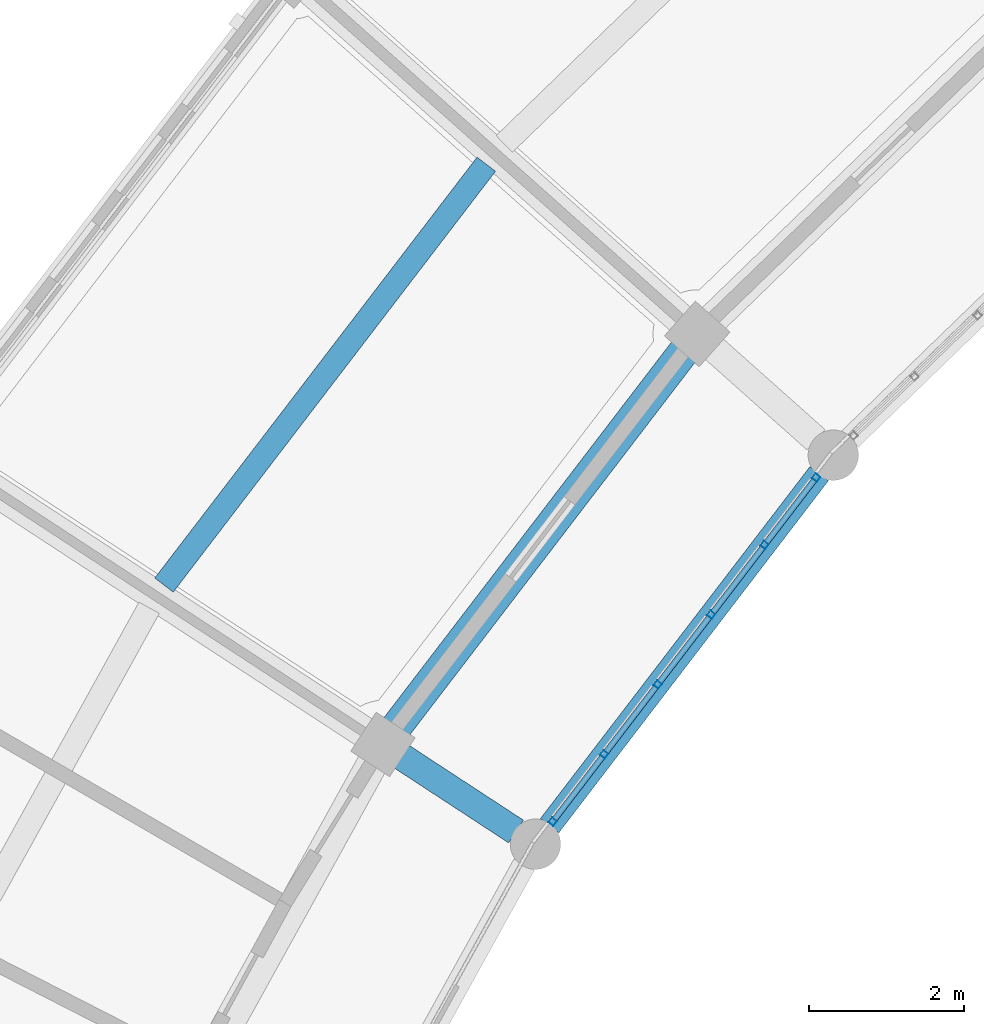
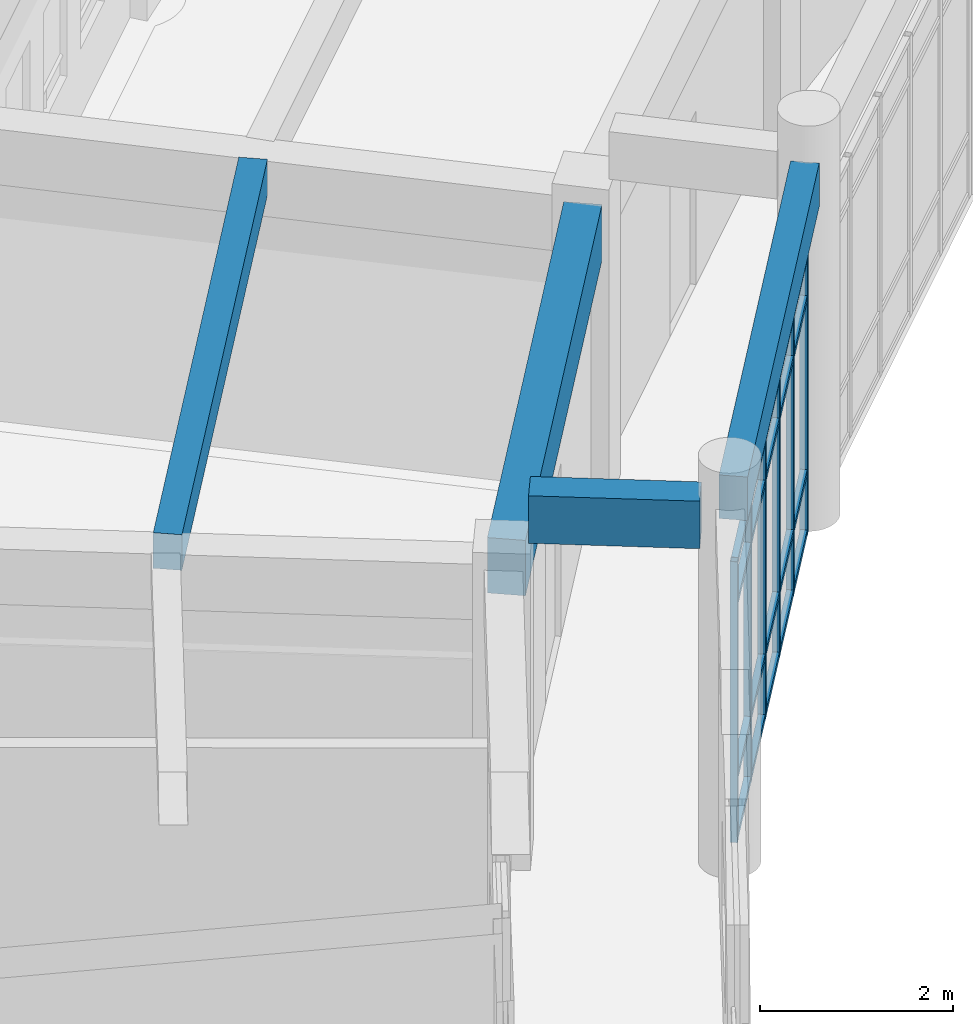
# One storey, part 64 of 159: 26 members, 4 beams, 1 element without a shape of its own.
"""IFC4 building model written with IfcOpenShell, lengths in metres."""

from ifc_helpers import new_model, si_unit, direction, frame, origin, origin_2d, place, context, subcontext, project, spatial, rectangle, hollow_rectangle, extrude, material, material_profile, profile_set, type_object, element, aggregate, save


model = new_model("IFC4")

# Units and contexts
model_context = context("Model", 3, precision=1e-05, world=origin(), true_north=direction((0.0, 1.0)))
body_context = subcontext(model_context, "Body", "Model", "MODEL_VIEW")
ifc_project = project(units=[si_unit("LENGTHUNIT", "METRE"), si_unit("AREAUNIT", "SQUARE_METRE"), si_unit("VOLUMEUNIT", "CUBIC_METRE"), si_unit("PLANEANGLEUNIT", "RADIAN"), si_unit("MASSUNIT", "GRAM", prefix="KILO")], contexts=[model_context])

# Site, building, storey
site_placement = place(None, origin())
site = spatial("IfcSite", under=ifc_project, at=site_placement, CompositionType="ELEMENT")
building_placement = place(site_placement, origin())
building = spatial("IfcBuilding", under=site, at=building_placement, Name="Celadon Cloister-Ring School", CompositionType="ELEMENT")
storey_placement = place(building_placement, frame((0.0, 0.0, 4.5)))
storey = spatial("IfcBuildingStorey", under=building, at=storey_placement, Name="L01", CompositionType="ELEMENT", Elevation=4.5)

# Beam
ifc_material_1 = material(Name="Concrete C35/45", Category="concrete")
ifc_material_profile_1 = material_profile(ifc_material_1, rectangle(XDim=0.35009765625, YDim=0.60009765625, at=origin_2d()), Name="RC350X600")
ifc_profile_set_1 = profile_set([ifc_material_profile_1], Name="Concrete C35/45")
beam_type_1 = type_object("IfcBeamType", Name="BT-02", PredefinedType="BEAM", material=ifc_profile_set_1)
beam_1_placement = place(storey_placement, frame((49.572021484375, 83.485107421875, 4.35009765625), z_axis=(0.836841228722, -0.547445666629, 0.0), x_axis=(0.547445666629, 0.836841228722, 0.0)))
element("IfcBeam", 1, at=beam_1_placement, inside=storey, type_object=beam_type_1, Name="Beam 0206", PredefinedType="BEAM", context=body_context, shape_type="SweptSolid", body=[
    extrude(rectangle(XDim=0.35009765625, YDim=0.60009765625, at=origin_2d()), origin(), (0.0, 0.0, 1.0), 1.77587890625),
])

# Curtain wall, members
ifc_material_2 = material(Name="Aluminium EN AW-6063 T6", Category="aluminium")
curtain_wall_type = type_object("IfcCurtainWallType", Name="CW-01", PredefinedType="USERDEFINED", material=ifc_material_2)
curtain_wall_placement = place(storey_placement, origin())
curtain_wall = element("IfcCurtainWall", 2, at=curtain_wall_placement, inside=storey, type_object=curtain_wall_type, Name="Curtain Wall 0022", ObjectType="CURTAIN WALL", PredefinedType="USERDEFINED")
ifc_material_3 = material(Name="Aluminium EN AW-6063 T6", Category="aluminium")
ifc_material_profile_2 = material_profile(ifc_material_3, hollow_rectangle(XDim=0.080078125, YDim=0.080078125, WallThickness=0.00390625, at=origin_2d()), Name="RHS80X80X4")
ifc_profile_set_2 = profile_set([ifc_material_profile_2], Name="Aluminium EN AW-6063 T6")
member_type_1 = type_object("IfcMemberType", Name="CM-03", PredefinedType="MULLION", material=ifc_profile_set_2)
member_1_placement = place(storey_placement, frame((54.927734375, 87.0751953125, 0.0), z_axis=(0.0, 0.0, 1.0), x_axis=(0.794032169563, -0.607875738699, 0.0)))
member_1 = element("IfcMember", 3, at=member_1_placement, type_object=member_type_1, Name="CW-01 mullion 1", PredefinedType="MULLION", context=body_context, shape_type="SweptSolid", body=[
    extrude(hollow_rectangle(XDim=0.080078125, YDim=0.080078125, WallThickness=0.00390625, at=origin_2d()), origin(), (0.0, 0.0, 1.0), 3.550048828125),
])
member_2_placement = place(storey_placement, frame((54.262939453125, 86.20703125, 0.0), z_axis=(0.0, 0.0, 1.0), x_axis=(0.794032169563, -0.607875738699, 0.0)))
member_2 = element("IfcMember", 4, at=member_2_placement, type_object=member_type_1, Name="CW-01 mullion 2", PredefinedType="MULLION", context=body_context, shape_type="SweptSolid", body=[
    extrude(hollow_rectangle(XDim=0.080078125, YDim=0.080078125, WallThickness=0.00390625, at=origin_2d()), origin(), (0.0, 0.0, 1.0), 3.550048828125),
])
member_3_placement = place(storey_placement, frame((53.573974609375, 85.306884765625, 0.0), z_axis=(0.0, 0.0, 1.0), x_axis=(0.794032169563, -0.607875738699, 0.0)))
member_3 = element("IfcMember", 5, at=member_3_placement, type_object=member_type_1, Name="CW-01 mullion 3", PredefinedType="MULLION", context=body_context, shape_type="SweptSolid", body=[
    extrude(hollow_rectangle(XDim=0.080078125, YDim=0.080078125, WallThickness=0.00390625, at=origin_2d()), origin(), (0.0, 0.0, 1.0), 3.550048828125),
])
member_4_placement = place(storey_placement, frame((52.885009765625, 84.406982421875, 0.0), z_axis=(0.0, 0.0, 1.0), x_axis=(0.794032169563, -0.607875738699, 0.0)))
member_4 = element("IfcMember", 6, at=member_4_placement, type_object=member_type_1, Name="CW-01 mullion 4", PredefinedType="MULLION", context=body_context, shape_type="SweptSolid", body=[
    extrude(hollow_rectangle(XDim=0.080078125, YDim=0.080078125, WallThickness=0.00390625, at=origin_2d()), origin(), (0.0, 0.0, 1.0), 3.550048828125),
])
member_5_placement = place(storey_placement, frame((52.196044921875, 83.507080078125, 0.0), z_axis=(0.0, 0.0, 1.0), x_axis=(0.794032169563, -0.607875738699, 0.0)))
member_5 = element("IfcMember", 7, at=member_5_placement, type_object=member_type_1, Name="CW-01 mullion 5", PredefinedType="MULLION", context=body_context, shape_type="SweptSolid", body=[
    extrude(hollow_rectangle(XDim=0.080078125, YDim=0.080078125, WallThickness=0.00390625, at=origin_2d()), origin(), (0.0, 0.0, 1.0), 3.550048828125),
])
member_6_placement = place(storey_placement, frame((51.53125, 82.638671875, 0.0), z_axis=(0.0, 0.0, 1.0), x_axis=(0.794032169563, -0.607875738699, 0.0)))
member_6 = element("IfcMember", 8, at=member_6_placement, type_object=member_type_1, Name="CW-01 mullion 6", PredefinedType="MULLION", context=body_context, shape_type="SweptSolid", body=[
    extrude(hollow_rectangle(XDim=0.080078125, YDim=0.080078125, WallThickness=0.00390625, at=origin_2d()), origin(), (0.0, 0.0, 1.0), 3.550048828125),
])
ifc_material_4 = material(Name="Aluminium EN AW-6063 T6", Category="aluminium")
ifc_material_profile_3 = material_profile(ifc_material_4, hollow_rectangle(XDim=0.074951171875, YDim=0.074951171875, WallThickness=0.00390625, at=origin_2d()), Name="RHS75X75X4")
ifc_profile_set_3 = profile_set([ifc_material_profile_3], Name="Aluminium EN AW-6063 T6")
member_type_2 = type_object("IfcMemberType", Name="CTM-03", PredefinedType="USERDEFINED", material=ifc_profile_set_3)
member_7_placement = place(storey_placement, frame((54.9033203125, 87.04345703125, 0.03759765625), z_axis=(-0.607834557378, -0.794063694458, 0.0), x_axis=(0.794063694458, -0.607834557378, 0.0)))
member_7 = element("IfcMember", 9, at=member_7_placement, type_object=member_type_2, Name="CW-01 transom 1.1", ObjectType="TRANSOM", PredefinedType="USERDEFINED", context=body_context, shape_type="SweptSolid", body=[
    extrude(hollow_rectangle(XDim=0.074951171875, YDim=0.074951171875, WallThickness=0.00390625, at=origin_2d()), origin(), (0.0, 0.0, 1.0), 1.013427734375),
])
member_8_placement = place(storey_placement, frame((54.9033203125, 87.04345703125, 0.800048828125), z_axis=(-0.607834557378, -0.794063694458, 0.0), x_axis=(0.794063694458, -0.607834557378, 0.0)))
member_8 = element("IfcMember", 10, at=member_8_placement, type_object=member_type_2, Name="CW-01 transom 1.2", ObjectType="TRANSOM", PredefinedType="USERDEFINED", context=body_context, shape_type="SweptSolid", body=[
    extrude(hollow_rectangle(XDim=0.074951171875, YDim=0.074951171875, WallThickness=0.00390625, at=origin_2d()), origin(), (0.0, 0.0, 1.0), 1.013427734375),
])
member_9_placement = place(storey_placement, frame((54.9033203125, 87.04345703125, 3.0), z_axis=(-0.607834557378, -0.794063694458, 0.0), x_axis=(0.794063694458, -0.607834557378, 0.0)))
member_9 = element("IfcMember", 11, at=member_9_placement, type_object=member_type_2, Name="CW-01 transom 1.3", ObjectType="TRANSOM", PredefinedType="USERDEFINED", context=body_context, shape_type="SweptSolid", body=[
    extrude(hollow_rectangle(XDim=0.074951171875, YDim=0.074951171875, WallThickness=0.00390625, at=origin_2d()), origin(), (0.0, 0.0, 1.0), 1.013427734375),
])
member_10_placement = place(storey_placement, frame((54.9033203125, 87.04345703125, 3.512451171875), z_axis=(-0.607834557378, -0.794063694458, 0.0), x_axis=(0.794063694458, -0.607834557378, 0.0)))
member_10 = element("IfcMember", 12, at=member_10_placement, type_object=member_type_2, Name="CW-01 transom 1.4", ObjectType="TRANSOM", PredefinedType="USERDEFINED", context=body_context, shape_type="SweptSolid", body=[
    extrude(hollow_rectangle(XDim=0.074951171875, YDim=0.074951171875, WallThickness=0.00390625, at=origin_2d()), origin(), (0.0, 0.0, 1.0), 1.013427734375),
])
member_11_placement = place(storey_placement, frame((54.23876953125, 86.17529296875, 0.03759765625), z_axis=(-0.607905936714, -0.794009050394, 0.0), x_axis=(0.794009050394, -0.607905936714, 0.0)))
member_11 = element("IfcMember", 13, at=member_11_placement, type_object=member_type_2, Name="CW-01 transom 2.1", ObjectType="TRANSOM", PredefinedType="USERDEFINED", context=body_context, shape_type="SweptSolid", body=[
    extrude(hollow_rectangle(XDim=0.074951171875, YDim=0.074951171875, WallThickness=0.00390625, at=origin_2d()), origin(), (0.0, 0.0, 1.0), 1.053466796875),
])
member_12_placement = place(storey_placement, frame((54.23876953125, 86.17529296875, 0.800048828125), z_axis=(-0.607905936714, -0.794009050394, 0.0), x_axis=(0.794009050394, -0.607905936714, 0.0)))
member_12 = element("IfcMember", 14, at=member_12_placement, type_object=member_type_2, Name="CW-01 transom 2.2", ObjectType="TRANSOM", PredefinedType="USERDEFINED", context=body_context, shape_type="SweptSolid", body=[
    extrude(hollow_rectangle(XDim=0.074951171875, YDim=0.074951171875, WallThickness=0.00390625, at=origin_2d()), origin(), (0.0, 0.0, 1.0), 1.053466796875),
])
member_13_placement = place(storey_placement, frame((54.23876953125, 86.17529296875, 3.0), z_axis=(-0.607905936714, -0.794009050394, 0.0), x_axis=(0.794009050394, -0.607905936714, 0.0)))
member_13 = element("IfcMember", 15, at=member_13_placement, type_object=member_type_2, Name="CW-01 transom 2.3", ObjectType="TRANSOM", PredefinedType="USERDEFINED", context=body_context, shape_type="SweptSolid", body=[
    extrude(hollow_rectangle(XDim=0.074951171875, YDim=0.074951171875, WallThickness=0.00390625, at=origin_2d()), origin(), (0.0, 0.0, 1.0), 1.053466796875),
])
member_14_placement = place(storey_placement, frame((54.23876953125, 86.17529296875, 3.512451171875), z_axis=(-0.607905936714, -0.794009050394, 0.0), x_axis=(0.794009050394, -0.607905936714, 0.0)))
member_14 = element("IfcMember", 16, at=member_14_placement, type_object=member_type_2, Name="CW-01 transom 2.4", ObjectType="TRANSOM", PredefinedType="USERDEFINED", context=body_context, shape_type="SweptSolid", body=[
    extrude(hollow_rectangle(XDim=0.074951171875, YDim=0.074951171875, WallThickness=0.00390625, at=origin_2d()), origin(), (0.0, 0.0, 1.0), 1.053466796875),
])
member_15_placement = place(storey_placement, frame((53.5498046875, 85.275146484375, 0.03759765625), z_axis=(-0.607905936714, -0.794009050394, 0.0), x_axis=(0.794009050394, -0.607905936714, 0.0)))
member_15 = element("IfcMember", 17, at=member_15_placement, type_object=member_type_2, Name="CW-01 transom 3.1", ObjectType="TRANSOM", PredefinedType="USERDEFINED", context=body_context, shape_type="SweptSolid", body=[
    extrude(hollow_rectangle(XDim=0.074951171875, YDim=0.074951171875, WallThickness=0.00390625, at=origin_2d()), origin(), (0.0, 0.0, 1.0), 1.053466796875),
])
member_16_placement = place(storey_placement, frame((53.5498046875, 85.275146484375, 0.800048828125), z_axis=(-0.607905936714, -0.794009050394, 0.0), x_axis=(0.794009050394, -0.607905936714, 0.0)))
member_16 = element("IfcMember", 18, at=member_16_placement, type_object=member_type_2, Name="CW-01 transom 3.2", ObjectType="TRANSOM", PredefinedType="USERDEFINED", context=body_context, shape_type="SweptSolid", body=[
    extrude(hollow_rectangle(XDim=0.074951171875, YDim=0.074951171875, WallThickness=0.00390625, at=origin_2d()), origin(), (0.0, 0.0, 1.0), 1.053466796875),
])
member_17_placement = place(storey_placement, frame((53.5498046875, 85.275146484375, 3.0), z_axis=(-0.607905936714, -0.794009050394, 0.0), x_axis=(0.794009050394, -0.607905936714, 0.0)))
member_17 = element("IfcMember", 19, at=member_17_placement, type_object=member_type_2, Name="CW-01 transom 3.3", ObjectType="TRANSOM", PredefinedType="USERDEFINED", context=body_context, shape_type="SweptSolid", body=[
    extrude(hollow_rectangle(XDim=0.074951171875, YDim=0.074951171875, WallThickness=0.00390625, at=origin_2d()), origin(), (0.0, 0.0, 1.0), 1.053466796875),
])
member_18_placement = place(storey_placement, frame((53.5498046875, 85.275146484375, 3.512451171875), z_axis=(-0.607905936714, -0.794009050394, 0.0), x_axis=(0.794009050394, -0.607905936714, 0.0)))
member_18 = element("IfcMember", 20, at=member_18_placement, type_object=member_type_2, Name="CW-01 transom 3.4", ObjectType="TRANSOM", PredefinedType="USERDEFINED", context=body_context, shape_type="SweptSolid", body=[
    extrude(hollow_rectangle(XDim=0.074951171875, YDim=0.074951171875, WallThickness=0.00390625, at=origin_2d()), origin(), (0.0, 0.0, 1.0), 1.053466796875),
])
member_19_placement = place(storey_placement, frame((52.860595703125, 84.375244140625, 0.03759765625), z_axis=(-0.607905936714, -0.794009050394, 0.0), x_axis=(0.794009050394, -0.607905936714, 0.0)))
member_19 = element("IfcMember", 21, at=member_19_placement, type_object=member_type_2, Name="CW-01 transom 4.1", ObjectType="TRANSOM", PredefinedType="USERDEFINED", context=body_context, shape_type="SweptSolid", body=[
    extrude(hollow_rectangle(XDim=0.074951171875, YDim=0.074951171875, WallThickness=0.00390625, at=origin_2d()), origin(), (0.0, 0.0, 1.0), 1.053466796875),
])
member_20_placement = place(storey_placement, frame((52.860595703125, 84.375244140625, 0.800048828125), z_axis=(-0.607905936714, -0.794009050394, 0.0), x_axis=(0.794009050394, -0.607905936714, 0.0)))
member_20 = element("IfcMember", 22, at=member_20_placement, type_object=member_type_2, Name="CW-01 transom 4.2", ObjectType="TRANSOM", PredefinedType="USERDEFINED", context=body_context, shape_type="SweptSolid", body=[
    extrude(hollow_rectangle(XDim=0.074951171875, YDim=0.074951171875, WallThickness=0.00390625, at=origin_2d()), origin(), (0.0, 0.0, 1.0), 1.053466796875),
])
member_21_placement = place(storey_placement, frame((52.860595703125, 84.375244140625, 3.0), z_axis=(-0.607905936714, -0.794009050394, 0.0), x_axis=(0.794009050394, -0.607905936714, 0.0)))
member_21 = element("IfcMember", 23, at=member_21_placement, type_object=member_type_2, Name="CW-01 transom 4.3", ObjectType="TRANSOM", PredefinedType="USERDEFINED", context=body_context, shape_type="SweptSolid", body=[
    extrude(hollow_rectangle(XDim=0.074951171875, YDim=0.074951171875, WallThickness=0.00390625, at=origin_2d()), origin(), (0.0, 0.0, 1.0), 1.053466796875),
])
member_22_placement = place(storey_placement, frame((52.860595703125, 84.375244140625, 3.512451171875), z_axis=(-0.607905936714, -0.794009050394, 0.0), x_axis=(0.794009050394, -0.607905936714, 0.0)))
member_22 = element("IfcMember", 24, at=member_22_placement, type_object=member_type_2, Name="CW-01 transom 4.4", ObjectType="TRANSOM", PredefinedType="USERDEFINED", context=body_context, shape_type="SweptSolid", body=[
    extrude(hollow_rectangle(XDim=0.074951171875, YDim=0.074951171875, WallThickness=0.00390625, at=origin_2d()), origin(), (0.0, 0.0, 1.0), 1.053466796875),
])
member_23_placement = place(storey_placement, frame((52.171630859375, 83.475341796875, 0.03759765625), z_axis=(-0.607718292077, -0.794152678945, 0.0), x_axis=(0.794152678945, -0.607718292077, 0.0)))
member_23 = element("IfcMember", 25, at=member_23_placement, type_object=member_type_2, Name="CW-01 transom 5.1", ObjectType="TRANSOM", PredefinedType="USERDEFINED", context=body_context, shape_type="SweptSolid", body=[
    extrude(hollow_rectangle(XDim=0.074951171875, YDim=0.074951171875, WallThickness=0.00390625, at=origin_2d()), origin(), (0.0, 0.0, 1.0), 1.013671875),
])
member_24_placement = place(storey_placement, frame((52.171630859375, 83.475341796875, 0.800048828125), z_axis=(-0.607718292077, -0.794152678945, 0.0), x_axis=(0.794152678945, -0.607718292077, 0.0)))
member_24 = element("IfcMember", 26, at=member_24_placement, type_object=member_type_2, Name="CW-01 transom 5.2", ObjectType="TRANSOM", PredefinedType="USERDEFINED", context=body_context, shape_type="SweptSolid", body=[
    extrude(hollow_rectangle(XDim=0.074951171875, YDim=0.074951171875, WallThickness=0.00390625, at=origin_2d()), origin(), (0.0, 0.0, 1.0), 1.013671875),
])
member_25_placement = place(storey_placement, frame((52.171630859375, 83.475341796875, 3.0), z_axis=(-0.607718292077, -0.794152678945, 0.0), x_axis=(0.794152678945, -0.607718292077, 0.0)))
member_25 = element("IfcMember", 27, at=member_25_placement, type_object=member_type_2, Name="CW-01 transom 5.3", ObjectType="TRANSOM", PredefinedType="USERDEFINED", context=body_context, shape_type="SweptSolid", body=[
    extrude(hollow_rectangle(XDim=0.074951171875, YDim=0.074951171875, WallThickness=0.00390625, at=origin_2d()), origin(), (0.0, 0.0, 1.0), 1.013671875),
])
member_26_placement = place(storey_placement, frame((52.171630859375, 83.475341796875, 3.512451171875), z_axis=(-0.607718292077, -0.794152678945, 0.0), x_axis=(0.794152678945, -0.607718292077, 0.0)))
member_26 = element("IfcMember", 28, at=member_26_placement, type_object=member_type_2, Name="CW-01 transom 5.4", ObjectType="TRANSOM", PredefinedType="USERDEFINED", context=body_context, shape_type="SweptSolid", body=[
    extrude(hollow_rectangle(XDim=0.074951171875, YDim=0.074951171875, WallThickness=0.00390625, at=origin_2d()), origin(), (0.0, 0.0, 1.0), 1.013671875),
])
aggregate(curtain_wall, [member_1, member_2, member_3, member_4, member_5, member_6, member_7, member_8, member_9, member_10, member_11, member_12, member_13, member_14, member_15, member_16, member_17, member_18, member_19, member_20, member_21, member_22, member_23, member_24, member_25, member_26])

# Beams
ifc_material_5 = material(Name="Concrete C35/45", Category="concrete")
ifc_material_profile_4 = material_profile(ifc_material_5, rectangle(XDim=0.39990234375, YDim=0.699951171875, at=origin_2d()), Name="RC400X700")
ifc_profile_set_4 = profile_set([ifc_material_profile_4], Name="Concrete C35/45")
beam_type_2 = type_object("IfcBeamType", Name="GT-03", PredefinedType="USERDEFINED", material=ifc_profile_set_4)
beam_2_placement = place(storey_placement, frame((53.22802734375, 88.7099609375, 3.429931640625), z_axis=(-0.607952175089, -0.793973647425, 0.0), x_axis=(0.793973647425, -0.607952175089, 0.0)))
element("IfcBeam", 29, at=beam_2_placement, inside=storey, type_object=beam_type_2, Name="Beam 0276", ObjectType="GIRDER", PredefinedType="USERDEFINED", context=body_context, shape_type="SweptSolid", body=[
    extrude(rectangle(XDim=0.39990234375, YDim=0.699951171875, at=origin_2d()), origin(), (0.0, 0.0, 1.0), 6.1171875),
])
ifc_material_6 = material(Name="Concrete C35/45", Category="concrete")
ifc_material_profile_5 = material_profile(ifc_material_6, rectangle(XDim=0.300048828125, YDim=0.449951171875, at=origin_2d()), Name="RC300X450")
ifc_profile_set_5 = profile_set([ifc_material_profile_5], Name="Concrete C35/45")
beam_type_3 = type_object("IfcBeamType", Name="JT-01", PredefinedType="JOIST", material=ifc_profile_set_5)
beam_3_placement = place(storey_placement, frame((50.675048828125, 91.116943359375, 3.554931640625), z_axis=(-0.607998808463, -0.793937937692, 0.0), x_axis=(0.793937937692, -0.607998808463, 0.0)))
element("IfcBeam", 30, at=beam_3_placement, inside=storey, type_object=beam_type_3, Name="Beam 0278", PredefinedType="JOIST", context=body_context, shape_type="SweptSolid", body=[
    extrude(rectangle(XDim=0.300048828125, YDim=0.449951171875, at=origin_2d()), origin(), (0.0, 0.0, 1.0), 6.83544921875),
])
ifc_material_7 = material(Name="Concrete C35/45", Category="concrete")
ifc_material_profile_6 = material_profile(ifc_material_7, rectangle(XDim=0.300048828125, YDim=0.550048828125, at=origin_2d()), Name="RC300X550")
ifc_profile_set_6 = profile_set([ifc_material_profile_6], Name="Concrete C35/45")
beam_type_4 = type_object("IfcBeamType", Name="SP-02", PredefinedType="SPANDREL", material=ifc_profile_set_6)
beam_4_placement = place(storey_placement, frame((54.968017578125, 87.126953125, 4.375), z_axis=(-0.608029932988, -0.793914101519, 0.0), x_axis=(0.793914101519, -0.608029932988, 0.0)))
element("IfcBeam", 31, at=beam_4_placement, inside=storey, type_object=beam_type_4, Name="Beam 0277", PredefinedType="SPANDREL", context=body_context, shape_type="SweptSolid", body=[
    extrude(rectangle(XDim=0.300048828125, YDim=0.550048828125, at=origin_2d()), origin(), (0.0, 0.0, 1.0), 5.718505859375),
])

save(model, "model.ifc")
